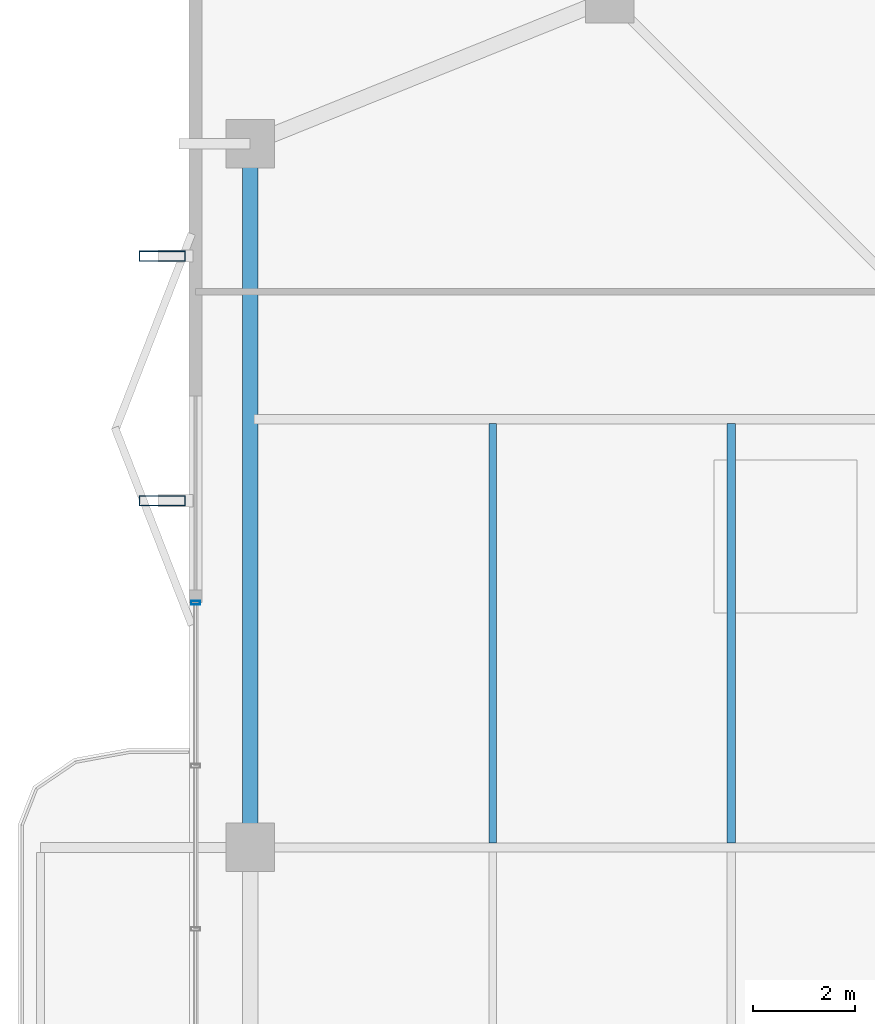
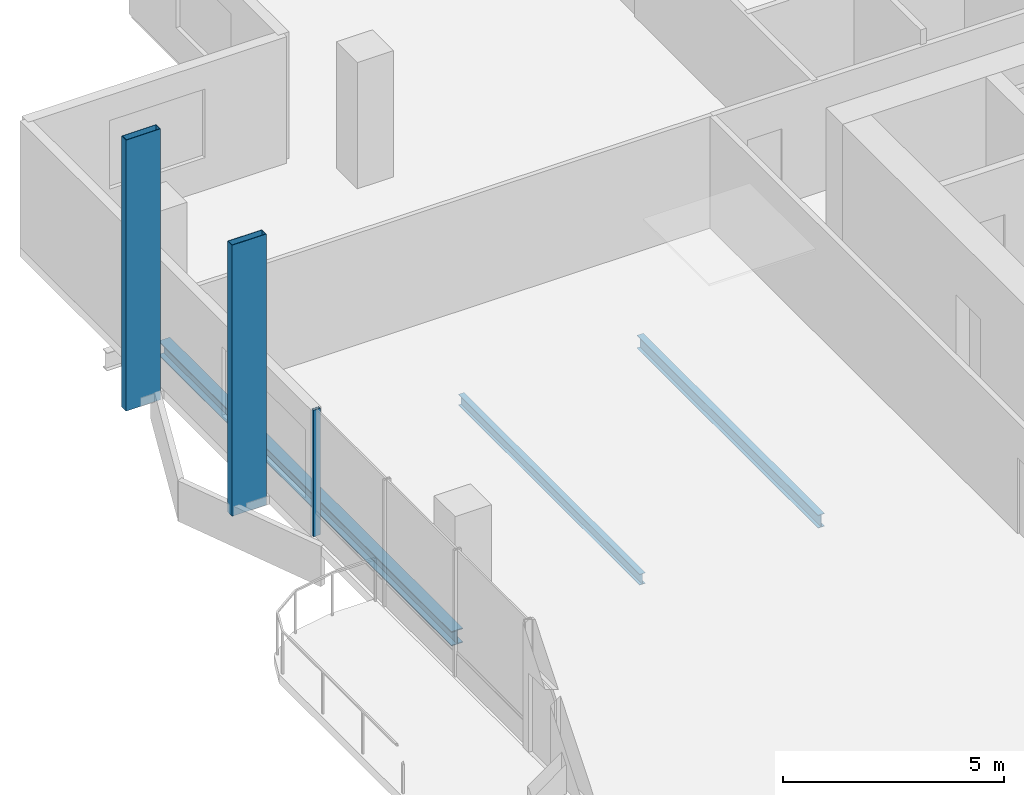
# One storey, part 11 of 25: 3 beams, 3 members, 1 element without a shape of its own.
"""IFC4 building model written with IfcOpenShell, lengths in metres."""

from ifc_helpers import new_model, si_unit, direction, frame, origin, origin_2d, place, context, subcontext, project, spatial, hollow_rectangle, i_section, extrude, material, layer, layer_set, material_profile, profile_set, type_object, element, aggregate, save


model = new_model("IFC4")

# Units and contexts
model_context = context("Model", 3, precision=1e-05, world=origin(), true_north=direction((0.0, 1.0)))
body_context = subcontext(model_context, "Body", "Model", "MODEL_VIEW")
ifc_project = project(units=[si_unit("LENGTHUNIT", "METRE"), si_unit("AREAUNIT", "SQUARE_METRE"), si_unit("VOLUMEUNIT", "CUBIC_METRE"), si_unit("PLANEANGLEUNIT", "RADIAN"), si_unit("MASSUNIT", "GRAM", prefix="KILO")], contexts=[model_context])

# Site, building, storey
site_placement = place(None, origin())
site = spatial("IfcSite", under=ifc_project, at=site_placement, CompositionType="ELEMENT")
building_placement = place(site_placement, origin())
building = spatial("IfcBuilding", under=site, at=building_placement, Name="Belovzor Exchange Tower", CompositionType="ELEMENT")
storey_placement = place(building_placement, frame((0.0, 0.0, 250.35009765625)))
storey = spatial("IfcBuildingStorey", under=building, at=storey_placement, Name="L62", CompositionType="ELEMENT", Elevation=250.35009765625)

# Beams
ifc_material_1 = material(Name="Steel S355", Category="steel")
ifc_material_profile_1 = material_profile(ifc_material_1, i_section(OverallWidth=0.169921875, OverallDepth=0.360107421875, WebThickness=0.008056640625, FlangeThickness=0.0126953125, at=origin_2d()))
ifc_profile_set_1 = profile_set([ifc_material_profile_1], Name="Steel S355")
beam_type_1 = type_object("IfcBeamType", Name="Secondary Infill Floor Joist IPE 360", PredefinedType="BEAM", material=ifc_profile_set_1)
beam_1_placement = place(storey_placement, frame((14.534912109375, 28.889892578125, -0.43017578125), z_axis=(0.0, 1.0, 0.0), x_axis=(-1.0, 0.0, 0.0)))
element("IfcBeam", 1, at=beam_1_placement, inside=storey, type_object=beam_type_1, Name="FJ-360 Secondary Infill Floor Joist IPE 360", PredefinedType="BEAM", context=body_context, shape_type="SweptSolid", body=[
    extrude(i_section(OverallWidth=0.169921875, OverallDepth=0.360107421875, WebThickness=0.008056640625, FlangeThickness=0.0126953125, at=origin_2d()), origin(), (0.0, 0.0, 1.0), 8.22021484375),
])
ifc_material_2 = material(Name="Steel S355", Category="steel")
ifc_material_profile_2 = material_profile(ifc_material_2, i_section(OverallWidth=0.14990234375, OverallDepth=0.300048828125, WebThickness=0.007080078125, FlangeThickness=0.0107421875, at=origin_2d()))
ifc_profile_set_2 = profile_set([ifc_material_profile_2], Name="Steel S355")
beam_type_2 = type_object("IfcBeamType", Name="Secondary Trim Floor Joist IPE 300", PredefinedType="BEAM", material=ifc_profile_set_2)
beam_2_placement = place(storey_placement, frame((9.85498046875, 28.889892578125, -0.400146484375), z_axis=(0.0, 1.0, 0.0), x_axis=(-1.0, 0.0, 0.0)))
element("IfcBeam", 2, at=beam_2_placement, inside=storey, type_object=beam_type_2, Name="FJ-300 Secondary Trim Floor Joist IPE 300", PredefinedType="BEAM", context=body_context, shape_type="SweptSolid", body=[
    extrude(i_section(OverallWidth=0.14990234375, OverallDepth=0.300048828125, WebThickness=0.007080078125, FlangeThickness=0.0107421875, at=origin_2d()), origin(), (0.0, 0.0, 1.0), 8.22021484375),
])

# Members
ifc_material_3 = material(Name="Extruded Architectural Terracotta on Steel S355 Carrier", Category="masonry")
ifc_material_profile_3 = material_profile(ifc_material_3, hollow_rectangle(XDim=0.199951171875, YDim=0.89990234375, WallThickness=0.011962890625, at=origin_2d()))
ifc_profile_set_3 = profile_set([ifc_material_profile_3], Name="Extruded Architectural Terracotta on Steel S355 Carrier")
member_type_1 = type_object("IfcMemberType", Name="Sweeping Terracotta Baguette Fin Assembly 950", PredefinedType="USERDEFINED", material=ifc_profile_set_3)
for number, where, z_axis, x_axis, name in (
    (3, (3.375, 35.60009765625, -0.25), (0.0, 0.0, 1.0), (0.0, 1.0, 0.0), "FIN-TC095 Terracotta Facade Fin L62 W3"),
    (4, (3.375, 40.39990234375, -0.25), (0.0, 0.0, 1.0), (0.0, 1.0, 0.0), "FIN-TC095 Terracotta Facade Fin L62 W4"),
):
    element("IfcMember", number, at=place(storey_placement, frame(where, z_axis=z_axis, x_axis=x_axis)), inside=storey, type_object=member_type_1, Name=name, ObjectType="FIN", PredefinedType="USERDEFINED", context=body_context, shape_type="SweptSolid", body=[
        extrude(hollow_rectangle(XDim=0.199951171875, YDim=0.89990234375, WallThickness=0.011962890625, at=origin_2d()), origin(), (0.0, 0.0, 1.0), 7.5),
    ])

# Curtain wall, member
ifc_material_4 = material(Name="Anodised Aluminium Framing", Category="aluminium")
ifc_layer = layer(ifc_material_4, 0.179931640625)
ifc_layer_set = layer_set([ifc_layer], Name="Anodised Aluminium Framing")
curtain_wall_type = type_object("IfcCurtainWallType", Name="Recessed Loggia Low-Iron Triple-Glazed Curtain Wall", PredefinedType="NOTDEFINED", material=ifc_layer_set)
curtain_wall_placement = place(storey_placement, origin())
curtain_wall = element("IfcCurtainWall", 5, at=curtain_wall_placement, inside=storey, type_object=curtain_wall_type, Name="CW3 Recessed Loggia Low-Iron Triple-Glazed Curtain Wall L62", PredefinedType="NOTDEFINED")
ifc_material_5 = material(Name="Steel S355", Category="steel")
ifc_material_profile_4 = material_profile(ifc_material_5, hollow_rectangle(XDim=0.074951171875, YDim=0.179931640625, WallThickness=0.0048828125, at=origin_2d()))
ifc_profile_set_4 = profile_set([ifc_material_profile_4], Name="Steel S355")
member_type_2 = type_object("IfcMemberType", Name="Thermally Broken Curtain Wall Mullion 180x75", PredefinedType="MULLION", material=ifc_profile_set_4)
member_placement = place(storey_placement, frame((4.030029296875, 33.60009765625, 0.0), z_axis=(0.0, 0.0, 1.0), x_axis=(0.0, 1.0, 0.0)))
member = element("IfcMember", 6, at=member_placement, type_object=member_type_2, Name="CW-M180 Curtain Wall Mullion 4", PredefinedType="MULLION", context=body_context, shape_type="SweptSolid", body=[
    extrude(hollow_rectangle(XDim=0.074951171875, YDim=0.179931640625, WallThickness=0.0048828125, at=origin_2d()), origin(), (0.0, 0.0, 1.0), 3.5),
])
aggregate(curtain_wall, [member])

# Beam
ifc_material_6 = material(Name="Steel S355", Category="steel")
ifc_material_profile_5 = material_profile(ifc_material_6, i_section(OverallWidth=0.300048828125, OverallDepth=0.39990234375, WebThickness=0.013427734375, FlangeThickness=0.02392578125, at=origin_2d()))
ifc_profile_set_5 = profile_set([ifc_material_profile_5], Name="Steel S355")
beam_type_3 = type_object("IfcBeamType", Name="Zone 5 Primary Girder HEB 400", PredefinedType="BEAM", material=ifc_profile_set_5)
beam_3_placement = place(storey_placement, frame((5.10009765625, 42.339111328125, -0.4501953125), z_axis=(0.0, -1.0, 0.0), x_axis=(1.0, 0.0, 0.0)))
element("IfcBeam", 7, at=beam_3_placement, inside=storey, type_object=beam_type_3, Name="FG-Z5 Zone 5 Primary Girder HEB 400", PredefinedType="BEAM", context=body_context, shape_type="SweptSolid", body=[
    extrude(i_section(OverallWidth=0.300048828125, OverallDepth=0.39990234375, WebThickness=0.013427734375, FlangeThickness=0.02392578125, at=origin_2d()), origin(), (0.0, 0.0, 1.0), 13.278076171875),
])

save(model, "model.ifc")
